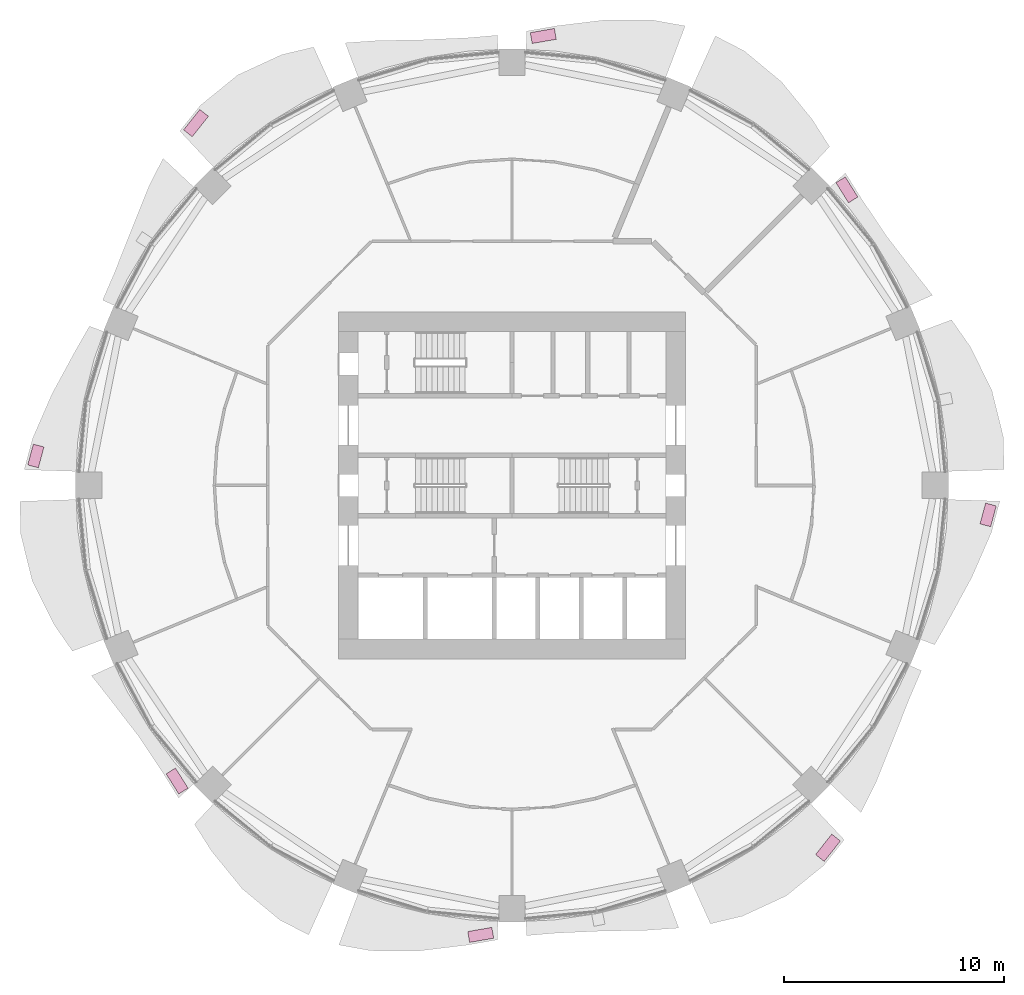
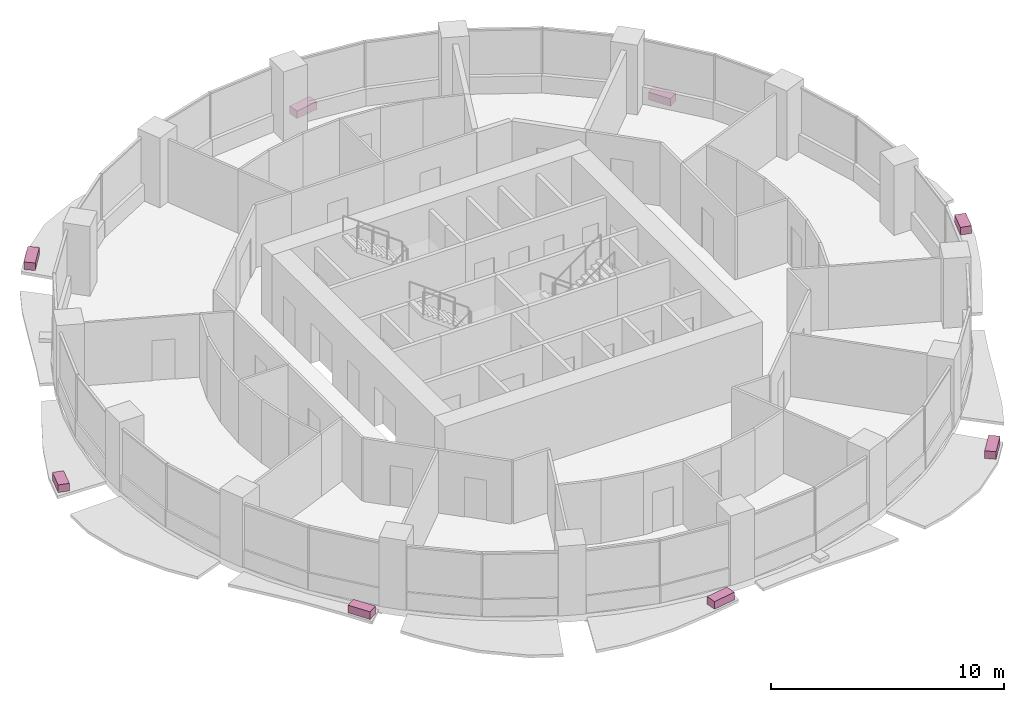
# One storey, part 15 of 15: 8 furniture elements.
"""IFC4 building model written with IfcOpenShell, lengths in metres."""

from ifc_helpers import new_model, si_unit, direction, frame, origin, origin_2d, place, context, subcontext, project, spatial, rectangle, extrude, material, type_object, element, save


model = new_model("IFC4")

# Units and contexts
model_context = context("Model", 3, precision=1e-05, world=origin(), true_north=direction((0.0, 1.0)))
body_context = subcontext(model_context, "Body", "Model", "MODEL_VIEW")
ifc_project = project(units=[si_unit("LENGTHUNIT", "METRE"), si_unit("AREAUNIT", "SQUARE_METRE"), si_unit("VOLUMEUNIT", "CUBIC_METRE"), si_unit("PLANEANGLEUNIT", "RADIAN"), si_unit("MASSUNIT", "GRAM", prefix="KILO")], contexts=[model_context])

# Site, building, storey
site_placement = place(None, origin())
site = spatial("IfcSite", under=ifc_project, at=site_placement, CompositionType="ELEMENT")
building_placement = place(site_placement, origin())
building = spatial("IfcBuilding", under=site, at=building_placement, Name="Polderwave Tower", CompositionType="ELEMENT")
storey_placement = place(building_placement, frame((0.0, 0.0, 26.199951171875)))
storey = spatial("IfcBuildingStorey", under=building, at=storey_placement, Name="L06", CompositionType="ELEMENT", Elevation=26.199951171875)

# Furniture
ifc_material = material(Name="Terracotta", Category="masonry")
furniture_type = type_object("IfcFurnitureType", Name="Terracotta planting trough", AssemblyPlace="NOTDEFINED", PredefinedType="USERDEFINED", material=ifc_material)
furniture_1_placement = place(storey_placement, frame((15.189453125, 13.40673828125, -0.199951171875), z_axis=(0.0, 0.0, 1.0), x_axis=(-0.530591073714, 0.847627932819, 0.0)))
element("IfcFurniture", 1, at=furniture_1_placement, inside=storey, type_object=furniture_type, Name="Planting trough L06 2", ObjectType="PLANTER", PredefinedType="USERDEFINED", context=body_context, shape_type="SweptSolid", body=[
    extrude(rectangle(XDim=1.07666015625, YDim=0.5, at=origin_2d()), origin(), (0.0, 0.0, 1.0), 0.39990234375),
])
furniture_2_placement = place(storey_placement, frame((1.4189453125, 20.3857421875, -0.199951171875), z_axis=(0.0, 0.0, 1.0), x_axis=(-0.985305230141, -0.170802820398, 0.0)))
element("IfcFurniture", 2, at=furniture_2_placement, inside=storey, type_object=furniture_type, Name="Planting trough L06 4", ObjectType="PLANTER", PredefinedType="USERDEFINED", context=body_context, shape_type="SweptSolid", body=[
    extrude(rectangle(XDim=1.109619140625, YDim=0.5, at=origin_2d()), origin(), (0.0, 0.0, 1.0), 0.39990234375),
])
furniture_3_placement = place(storey_placement, frame((-14.331787109375, 16.434814453125, -0.199951171875), z_axis=(0.0, 0.0, 1.0), x_axis=(-0.62313456379, -0.782114643393, 0.0)))
element("IfcFurniture", 3, at=furniture_3_placement, inside=storey, type_object=furniture_type, Name="Planting trough L06 6", ObjectType="PLANTER", PredefinedType="USERDEFINED", context=body_context, shape_type="SweptSolid", body=[
    extrude(rectangle(XDim=1.184326171875, YDim=0.5, at=origin_2d()), origin(), (0.0, 0.0, 1.0), 0.39990234375),
])
furniture_4_placement = place(storey_placement, frame((-21.59619140625, 1.3369140625, -0.199951171875), z_axis=(0.0, 0.0, 1.0), x_axis=(-0.25878869952, -0.965933956853, 0.0)))
element("IfcFurniture", 4, at=furniture_4_placement, inside=storey, type_object=furniture_type, Name="Planting trough L06 8", ObjectType="PLANTER", PredefinedType="USERDEFINED", context=body_context, shape_type="SweptSolid", body=[
    extrude(rectangle(XDim=0.97802734375, YDim=0.5, at=origin_2d()), origin(), (0.0, 0.0, 1.0), 0.39990234375),
])
furniture_5_placement = place(storey_placement, frame((-15.189453125, -13.40673828125, -0.199951171875), z_axis=(0.0, 0.0, 1.0), x_axis=(0.530591073714, -0.847627932819, 0.0)))
element("IfcFurniture", 5, at=furniture_5_placement, inside=storey, type_object=furniture_type, Name="Planting trough L06 10", ObjectType="PLANTER", PredefinedType="USERDEFINED", context=body_context, shape_type="SweptSolid", body=[
    extrude(rectangle(XDim=1.07666015625, YDim=0.5, at=origin_2d()), origin(), (0.0, 0.0, 1.0), 0.39990234375),
])
furniture_6_placement = place(storey_placement, frame((-1.4189453125, -20.3857421875, -0.199951171875), z_axis=(0.0, 0.0, 1.0), x_axis=(0.985305230141, 0.170802820398, 0.0)))
element("IfcFurniture", 6, at=furniture_6_placement, inside=storey, type_object=furniture_type, Name="Planting trough L06 12", ObjectType="PLANTER", PredefinedType="USERDEFINED", context=body_context, shape_type="SweptSolid", body=[
    extrude(rectangle(XDim=1.109619140625, YDim=0.5, at=origin_2d()), origin(), (0.0, 0.0, 1.0), 0.39990234375),
])
furniture_7_placement = place(storey_placement, frame((14.331787109375, -16.434814453125, -0.199951171875), z_axis=(0.0, 0.0, 1.0), x_axis=(0.62313456379, 0.782114643393, 0.0)))
element("IfcFurniture", 7, at=furniture_7_placement, inside=storey, type_object=furniture_type, Name="Planting trough L06 14", ObjectType="PLANTER", PredefinedType="USERDEFINED", context=body_context, shape_type="SweptSolid", body=[
    extrude(rectangle(XDim=1.184326171875, YDim=0.5, at=origin_2d()), origin(), (0.0, 0.0, 1.0), 0.39990234375),
])
furniture_8_placement = place(storey_placement, frame((21.59619140625, -1.3369140625, -0.199951171875), z_axis=(0.0, 0.0, 1.0), x_axis=(0.25878869952, 0.965933956853, 0.0)))
element("IfcFurniture", 8, at=furniture_8_placement, inside=storey, type_object=furniture_type, Name="Planting trough L06 16", ObjectType="PLANTER", PredefinedType="USERDEFINED", context=body_context, shape_type="SweptSolid", body=[
    extrude(rectangle(XDim=0.97802734375, YDim=0.5, at=origin_2d()), origin(), (0.0, 0.0, 1.0), 0.39990234375),
])

save(model, "model.ifc")
